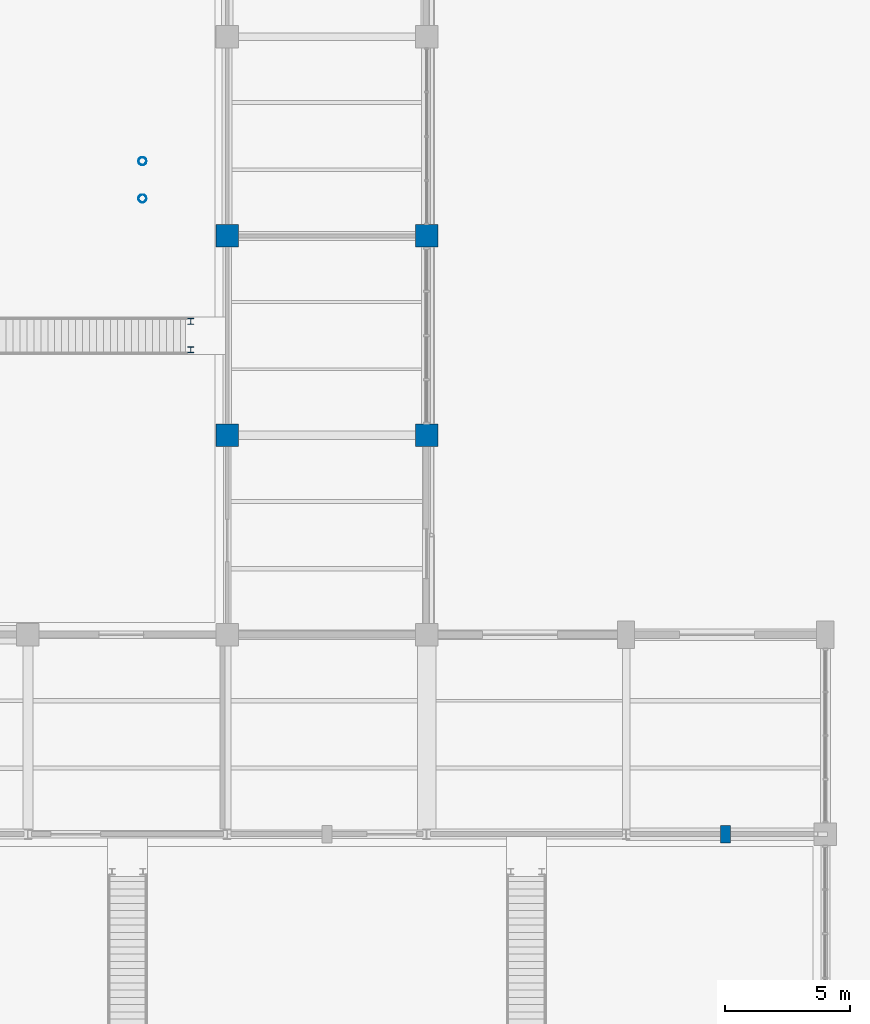
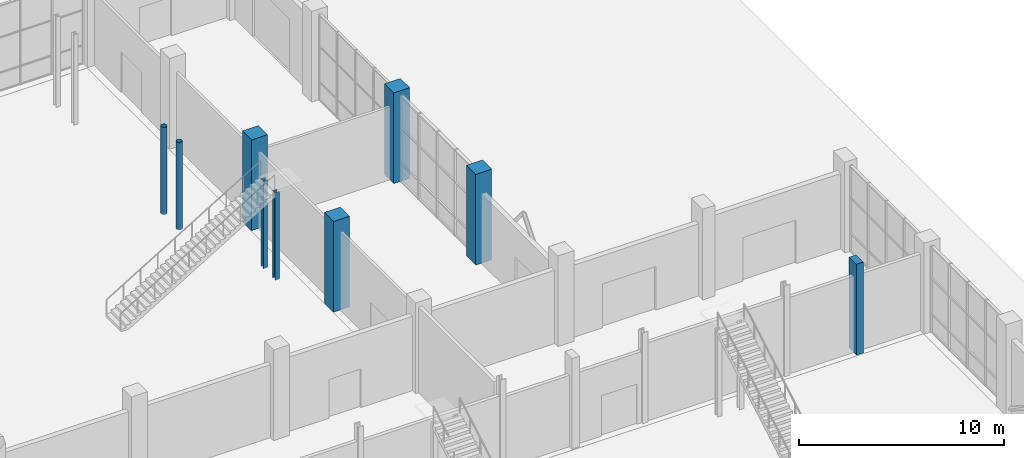
# One storey, part 15 of 123: 9 columns.
"""IFC4 building model written with IfcOpenShell, lengths in metres."""

from ifc_helpers import new_model, si_unit, direction, frame, origin, origin_2d, place, context, subcontext, project, spatial, rectangle, hollow_circle, i_section, extrude, material, material_profile, profile_set, type_object, element, save


model = new_model("IFC4")

# Units and contexts
model_context = context("Model", 3, precision=1e-05, world=origin(), true_north=direction((0.0, 1.0)))
body_context = subcontext(model_context, "Body", "Model", "MODEL_VIEW")
ifc_project = project(units=[si_unit("LENGTHUNIT", "METRE"), si_unit("AREAUNIT", "SQUARE_METRE"), si_unit("VOLUMEUNIT", "CUBIC_METRE"), si_unit("PLANEANGLEUNIT", "RADIAN"), si_unit("MASSUNIT", "GRAM", prefix="KILO")], contexts=[model_context])

# Site, building, storey
site_placement = place(None, origin())
site = spatial("IfcSite", under=ifc_project, at=site_placement, CompositionType="ELEMENT")
building_placement = place(site_placement, origin())
building = spatial("IfcBuilding", under=site, at=building_placement, Name="Tenunan Teduh Sports Hall", CompositionType="ELEMENT")
storey_placement = place(building_placement, origin())
storey = spatial("IfcBuildingStorey", under=building, at=storey_placement, Name="L00", CompositionType="ELEMENT", Elevation=0.0)

# Columns
ifc_material_1 = material(Name="Concrete C40/50", Category="concrete")
ifc_material_profile_1 = material_profile(ifc_material_1, rectangle(XDim=0.89990234375, YDim=0.89990234375, at=origin_2d()), Name="RC 900x900")
ifc_profile_set_1 = profile_set([ifc_material_profile_1], Name="Concrete C40/50")
column_type_1 = type_object("IfcColumnType", Name="COL-RC-900", PredefinedType="COLUMN", material=ifc_profile_set_1)
for number, where, z_axis, x_axis, name in (
    (1, (146.0, 54.0, 0.0), (0.0, 0.0, 1.0), (1.0, 0.0, 0.0), "COL-C-03-L00-190"),
    (2, (146.0, 62.0, 0.0), (0.0, 0.0, 1.0), (1.0, 0.0, 0.0), "COL-C-03-L00-191"),
    (3, (154.0, 54.0, 0.0), (0.0, 0.0, 1.0), (1.0, 0.0, 0.0), "COL-C-03-L00-203"),
    (4, (154.0, 62.0, 0.0), (0.0, 0.0, 1.0), (1.0, 0.0, 0.0), "COL-C-03-L00-204"),
):
    element("IfcColumn", number, at=place(storey_placement, frame(where, z_axis=z_axis, x_axis=x_axis)), inside=storey, type_object=column_type_1, Name=name, PredefinedType="COLUMN", context=body_context, shape_type="SweptSolid", body=[
        extrude(rectangle(XDim=0.89990234375, YDim=0.89990234375, at=origin_2d()), origin(), (0.0, 0.0, 1.0), 5.39990234375),
    ])
ifc_material_2 = material(Name="Steel S355", Category="steel")
ifc_material_profile_2 = material_profile(ifc_material_2, hollow_circle(Radius=0.161865234375, WallThickness=0.012451171875, at=origin_2d()), Name="CHS 323.9x12.5")
ifc_profile_set_2 = profile_set([ifc_material_profile_2], Name="Steel S355")
column_type_2 = type_object("IfcColumnType", Name="COL-ST-CHS324", PredefinedType="COLUMN", material=ifc_profile_set_2)
for number, where, z_axis, x_axis, name in (
    (5, (142.60009765625, 63.5, 0.0), (0.0, 0.0, 1.0), (1.0, 0.0, 0.0), "COL-SC-04-CL2-L00-1"),
    (6, (142.60009765625, 65.0, 0.0), (0.0, 0.0, 1.0), (1.0, 0.0, 0.0), "COL-SC-04-CL2-L00-2"),
):
    element("IfcColumn", number, at=place(storey_placement, frame(where, z_axis=z_axis, x_axis=x_axis)), inside=storey, type_object=column_type_2, Name=name, PredefinedType="COLUMN", context=body_context, shape_type="SweptSolid", body=[
        extrude(hollow_circle(Radius=0.161865234375, WallThickness=0.012451171875, at=origin_2d()), origin(), (0.0, 0.0, 1.0), 5.199951171875),
    ])
ifc_material_3 = material(Name="Steel S355", Category="steel")
ifc_material_profile_3 = material_profile(ifc_material_3, i_section(OverallWidth=0.239990234375, OverallDepth=0.239990234375, WebThickness=0.010009765625, FlangeThickness=0.01708984375, FilletRadius=0.02099609375, at=origin_2d()), Name="HEB 240")
ifc_profile_set_3 = profile_set([ifc_material_profile_3], Name="Steel S355")
column_type_3 = type_object("IfcColumnType", Name="COL-ST-HEB240", PredefinedType="COLUMN", material=ifc_profile_set_3)
for number, where, z_axis, x_axis, name in (
    (7, (144.5400390625, 57.429931640625, 0.0), (0.0, 0.0, 1.0), (1.0, 0.0, 0.0), "COL-SC-04-FST-7-1-L00"),
    (8, (144.5400390625, 58.570068359375, 0.0), (0.0, 0.0, 1.0), (1.0, 0.0, 0.0), "COL-SC-04-FST-7-2-L00"),
):
    element("IfcColumn", number, at=place(storey_placement, frame(where, z_axis=z_axis, x_axis=x_axis)), inside=storey, type_object=column_type_3, Name=name, PredefinedType="COLUMN", context=body_context, shape_type="SweptSolid", body=[
        extrude(i_section(OverallWidth=0.239990234375, OverallDepth=0.239990234375, WebThickness=0.010009765625, FlangeThickness=0.01708984375, FilletRadius=0.02099609375, at=origin_2d()), origin(), (0.0, 0.0, 1.0), 5.219970703125),
    ])
ifc_material_4 = material(Name="Concrete C40/50", Category="concrete")
ifc_material_profile_4 = material_profile(ifc_material_4, rectangle(XDim=0.39990234375, YDim=0.699951171875, at=origin_2d()), Name="PIL 400x700")
ifc_profile_set_4 = profile_set([ifc_material_profile_4], Name="Concrete C40/50")
column_type_4 = type_object("IfcColumnType", Name="PIL-400x700", PredefinedType="PILASTER", material=ifc_profile_set_4)
column_placement = place(storey_placement, frame((166.0, 38.0, 0.0), z_axis=(0.0, 0.0, 1.0), x_axis=(1.0, 0.0, 0.0)))
element("IfcColumn", 9, at=column_placement, inside=storey, type_object=column_type_4, Name="PIL-PL-C2-L00-06", PredefinedType="PILASTER", context=body_context, shape_type="SweptSolid", body=[
    extrude(rectangle(XDim=0.39990234375, YDim=0.699951171875, at=origin_2d()), origin(), (0.0, 0.0, 1.0), 5.39990234375),
])

save(model, "model.ifc")
